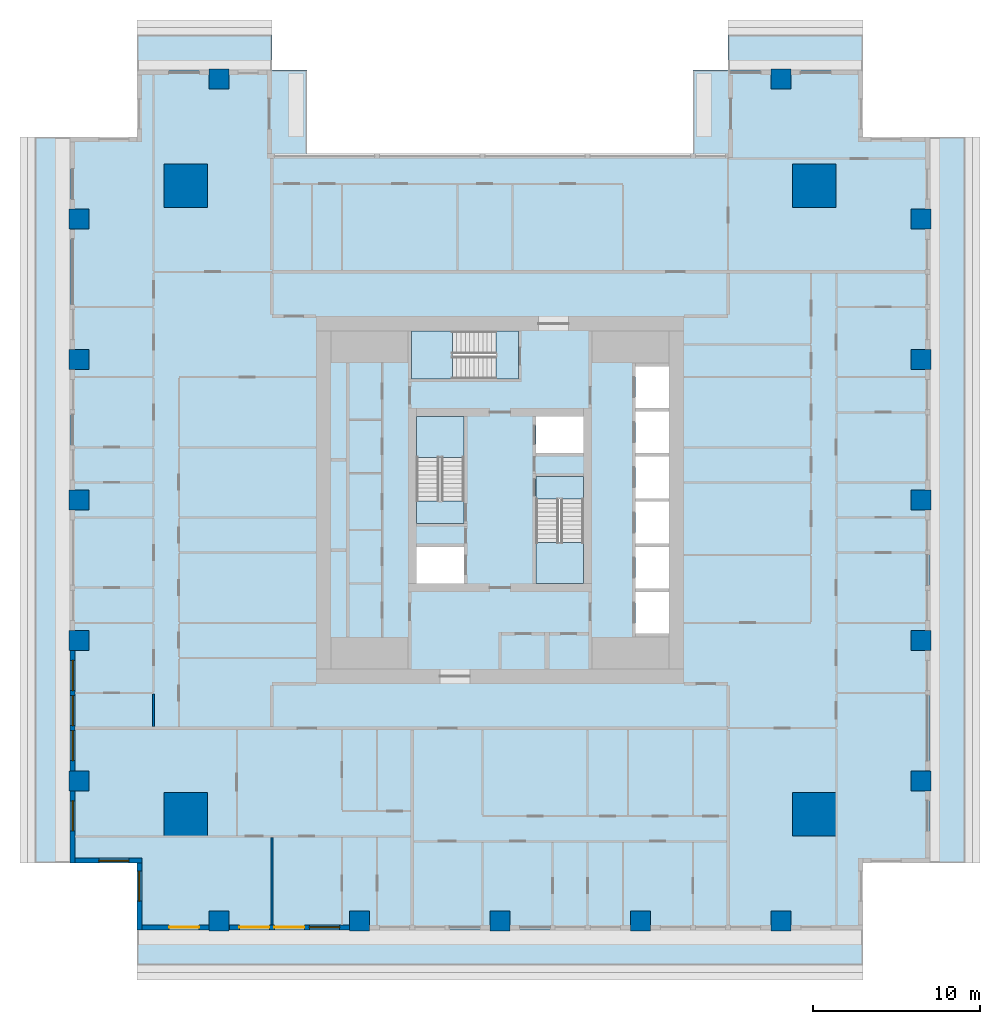
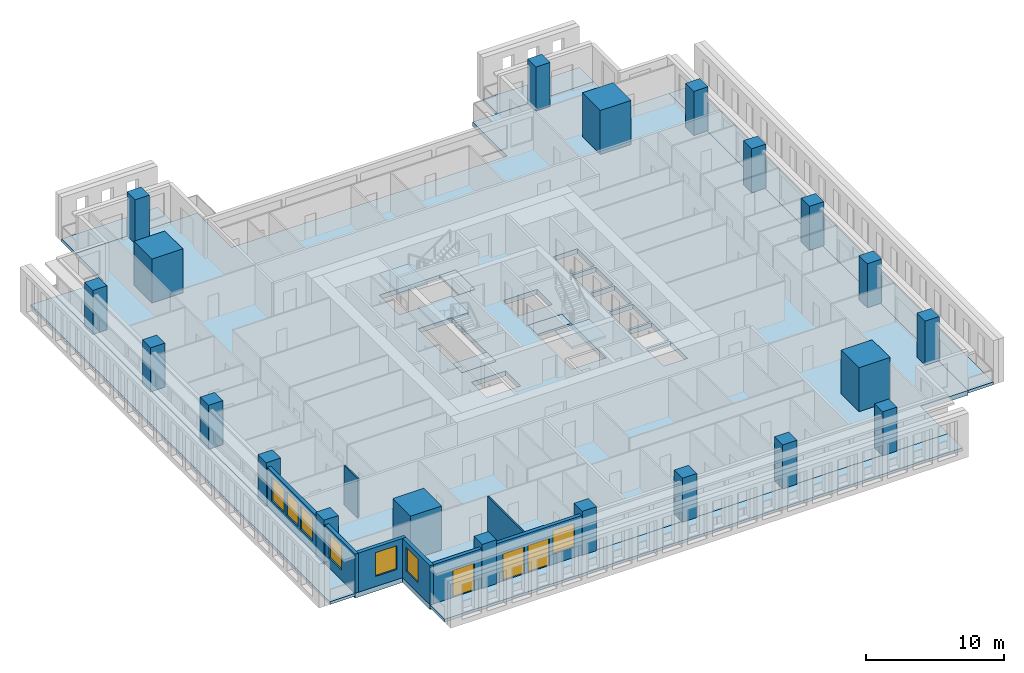
# One storey, part 1 of 16: 21 columns, 12 slabs, 8 walls, 7 windows, 3 doors, 10 openings, 3 elements without a shape of their own.
"""IFC4 building model written with IfcOpenShell, lengths in metres."""

from ifc_helpers import new_model, si_unit, direction, frame, frame_2d, origin, origin_2d, place, context, subcontext, project, spatial, polyline, rectangle, outline, extrude, material, layer, layer_set, material_profile, profile_set, type_object, element, fill, aggregate, save


model = new_model("IFC4")

# Units and contexts
model_context = context("Model", 3, precision=1e-05, world=origin(), true_north=direction((0.0, 1.0)))
body_context = subcontext(model_context, "Body", "Model", "MODEL_VIEW")
ifc_project = project(units=[si_unit("LENGTHUNIT", "METRE"), si_unit("AREAUNIT", "SQUARE_METRE"), si_unit("VOLUMEUNIT", "CUBIC_METRE"), si_unit("PLANEANGLEUNIT", "RADIAN"), si_unit("MASSUNIT", "GRAM", prefix="KILO")], contexts=[model_context])

# Site, building, storey
site_placement = place(None, origin())
site = spatial("IfcSite", under=ifc_project, at=site_placement, CompositionType="ELEMENT")
building_placement = place(site_placement, origin())
building = spatial("IfcBuilding", under=site, at=building_placement, Name="Khepri Terraces", CompositionType="ELEMENT")
storey_placement = place(building_placement, frame((0.0, 0.0, 172.800048828125)))
storey = spatial("IfcBuildingStorey", under=building, at=storey_placement, Name="L41", CompositionType="ELEMENT", Elevation=172.800048828125)

# Columns
ifc_material_1 = material(Name="Concrete C60/75", Category="concrete")
ifc_material_profile_1 = material_profile(ifc_material_1, rectangle(XDim=2.60009765625, YDim=2.60009765625, at=origin_2d()), Name="Concrete C60/75", Category="concrete")
ifc_profile_set_1 = profile_set([ifc_material_profile_1], Name="Concrete C60/75")
column_type_1 = type_object("IfcColumnType", Name="Mega column RC 2600x2600 C60/75", PredefinedType="COLUMN", material=ifc_profile_set_1)
for number, where, z_axis, x_axis, name in (
    (1, (18.800048828125, 18.800048828125, 0.0), (0.0, 0.0, 1.0), (1.0, 0.0, 0.0), "Mega column MEN L41"),
    (2, (18.800048828125, -18.800048828125, 0.0), (0.0, 0.0, 1.0), (1.0, 0.0, 0.0), "Mega column MES L41"),
    (3, (-18.800048828125, 18.800048828125, 0.0), (0.0, 0.0, 1.0), (1.0, 0.0, 0.0), "Mega column MWN L41"),
    (4, (-18.800048828125, -18.800048828125, 0.0), (0.0, 0.0, 1.0), (1.0, 0.0, 0.0), "Mega column MWS L41"),
):
    element("IfcColumn", number, at=place(storey_placement, frame(where, z_axis=z_axis, x_axis=x_axis)), inside=storey, type_object=column_type_1, Name=name, PredefinedType="COLUMN", context=body_context, shape_type="SweptSolid", body=[
        extrude(rectangle(XDim=2.60009765625, YDim=2.60009765625, at=origin_2d()), origin(), (0.0, 0.0, 1.0), 3.89990234375),
    ])
ifc_material_profile_2 = material_profile(ifc_material_1, rectangle(XDim=1.199951171875, YDim=1.199951171875, at=origin_2d()), Name="Concrete C60/75", Category="concrete")
ifc_profile_set_2 = profile_set([ifc_material_profile_2], Name="Concrete C60/75")
column_type_2 = type_object("IfcColumnType", Name="Tower column RC 1200x1200 C60/75", PredefinedType="COLUMN", material=ifc_profile_set_2)
for number, where, z_axis, x_axis, name in (
    (5, (25.199951171875, 0.0, 0.0), (0.0, 0.0, 1.0), (1.0, 0.0, 0.0), "Perimeter column PE+000a L41"),
    (6, (25.199951171875, 8.39990234375, 0.0), (0.0, 0.0, 1.0), (1.0, 0.0, 0.0), "Perimeter column PE+084a L41"),
    (7, (25.199951171875, 16.800048828125, 0.0), (0.0, 0.0, 1.0), (1.0, 0.0, 0.0), "Perimeter column PE+168a L41"),
    (8, (25.199951171875, -8.39990234375, 0.0), (0.0, 0.0, 1.0), (1.0, 0.0, 0.0), "Perimeter column PE-084a L41"),
    (9, (25.199951171875, -16.800048828125, 0.0), (0.0, 0.0, 1.0), (1.0, 0.0, 0.0), "Perimeter column PE-168a L41"),
    (10, (-16.800048828125, 25.199951171875, 0.0), (0.0, 0.0, 1.0), (1.0, 0.0, 0.0), "Perimeter column PN+168a L41"),
    (11, (16.800048828125, 25.199951171875, 0.0), (0.0, 0.0, 1.0), (1.0, 0.0, 0.0), "Perimeter column PN-168a L41"),
    (12, (0.0, -25.199951171875, 0.0), (0.0, 0.0, 1.0), (1.0, 0.0, 0.0), "Perimeter column PS+000b L41"),
    (13, (8.39990234375, -25.199951171875, 0.0), (0.0, 0.0, 1.0), (1.0, 0.0, 0.0), "Perimeter column PS+084b L41"),
    (14, (16.800048828125, -25.199951171875, 0.0), (0.0, 0.0, 1.0), (1.0, 0.0, 0.0), "Perimeter column PS+168a L41"),
    (15, (-8.39990234375, -25.199951171875, 0.0), (0.0, 0.0, 1.0), (1.0, 0.0, 0.0), "Perimeter column PS-084b L41"),
    (16, (-16.800048828125, -25.199951171875, 0.0), (0.0, 0.0, 1.0), (1.0, 0.0, 0.0), "Perimeter column PS-168a L41"),
    (17, (-25.199951171875, 0.0, 0.0), (0.0, 0.0, 1.0), (1.0, 0.0, 0.0), "Perimeter column PW+000b L41"),
    (18, (-25.199951171875, -8.39990234375, 0.0), (0.0, 0.0, 1.0), (1.0, 0.0, 0.0), "Perimeter column PW+084b L41"),
    (19, (-25.199951171875, -16.800048828125, 0.0), (0.0, 0.0, 1.0), (1.0, 0.0, 0.0), "Perimeter column PW+168a L41"),
    (20, (-25.199951171875, 8.39990234375, 0.0), (0.0, 0.0, 1.0), (1.0, 0.0, 0.0), "Perimeter column PW-084b L41"),
    (21, (-25.199951171875, 16.800048828125, 0.0), (0.0, 0.0, 1.0), (1.0, 0.0, 0.0), "Perimeter column PW-168a L41"),
):
    element("IfcColumn", number, at=place(storey_placement, frame(where, z_axis=z_axis, x_axis=x_axis)), inside=storey, type_object=column_type_2, Name=name, PredefinedType="COLUMN", context=body_context, shape_type="SweptSolid", body=[
        extrude(rectangle(XDim=1.199951171875, YDim=1.199951171875, at=origin_2d()), origin(), (0.0, 0.0, 1.0), 3.89990234375),
    ])

# Slabs
ifc_material_2 = material(Name="Concrete C40/50", Category="concrete")
ifc_layer_1 = layer(ifc_material_2, 0.419921875, Name="Concrete C40/50", Category="concrete")
ifc_layer_set_1 = layer_set([ifc_layer_1], Name="Concrete C40/50")
slab_type_1 = type_object("IfcSlabType", Name="Flat plate 420", PredefinedType="FLOOR", material=ifc_layer_set_1)
slab_1_placement = place(storey_placement, frame((0.0, 0.0, -0.420166015625)))
element("IfcSlab", 22, at=slab_1_placement, inside=storey, type_object=slab_type_1, Name="Floor slab F01 L41", PredefinedType="FLOOR", context=body_context, shape_type="SweptSolid", body=[
    extrude(outline(polyline([(11.550048828125, 25.719970703125), (13.64990234375, 25.719970703125), (21.719970703125, 25.719970703125), (21.719970703125, 21.719970703125), (25.719970703125, 21.719970703125), (25.719970703125, -21.719970703125), (21.719970703125, -21.719970703125), (21.719970703125, -25.719970703125), (-21.719970703125, -25.719970703125), (-21.719970703125, -21.719970703125), (-25.719970703125, -21.719970703125), (-25.719970703125, 21.719970703125), (-21.719970703125, 21.719970703125), (-21.719970703125, 25.719970703125), (-13.64990234375, 25.719970703125), (-11.550048828125, 25.719970703125), (-11.550048828125, 20.719970703125), (11.550048828125, 20.719970703125), (11.550048828125, 25.719970703125)]), holes=[polyline([(2.14990234375, 2.800048828125), (5.0, 2.800048828125), (5.0, 5.0), (2.14990234375, 5.0), (2.14990234375, 2.800048828125)]), polyline([(-5.0, -2.800048828125), (-5.0, -5.0), (-2.14990234375, -5.0), (-2.14990234375, -2.800048828125), (-5.0, -2.800048828125)]), polyline([(10.10009765625, -5.5), (8.10009765625, -5.5), (8.10009765625, -8.0), (10.10009765625, -8.0), (10.10009765625, -5.5)]), polyline([(10.10009765625, -5.300048828125), (10.10009765625, -2.800048828125), (8.10009765625, -2.800048828125), (8.10009765625, -5.300048828125), (10.10009765625, -5.300048828125)]), polyline([(8.10009765625, -2.60009765625), (10.10009765625, -2.60009765625), (10.10009765625, -0.10009765625), (8.10009765625, -0.10009765625), (8.10009765625, -2.60009765625)]), polyline([(8.10009765625, 2.60009765625), (8.10009765625, 0.10009765625), (10.10009765625, 0.10009765625), (10.10009765625, 2.60009765625), (8.10009765625, 2.60009765625)]), polyline([(10.10009765625, 5.300048828125), (8.10009765625, 5.300048828125), (8.10009765625, 2.800048828125), (10.10009765625, 2.800048828125), (10.10009765625, 5.300048828125)]), polyline([(10.10009765625, 5.5), (10.10009765625, 8.0), (8.10009765625, 8.0), (8.10009765625, 5.5), (10.10009765625, 5.5)]), polyline([(-5.0, -1.39990234375), (-2.14990234375, -1.39990234375), (-2.14990234375, 5.0), (-5.0, 5.0), (-5.0, -1.39990234375)]), polyline([(5.0, -5.0), (5.0, 1.39990234375), (2.14990234375, 1.39990234375), (2.14990234375, -5.0), (5.0, -5.0)]), polyline([(-5.300048828125, 10.10009765625), (-5.300048828125, 7.25), (1.10009765625, 7.25), (1.10009765625, 10.10009765625), (-5.300048828125, 10.10009765625)])]), origin(), (0.0, 0.0, 1.0), 0.420166015625),
])
ifc_material_3 = material(Name="Precast concrete C50/60 warm stone", Category="masonry")
ifc_layer_2 = layer(ifc_material_3, 0.25, Name="Precast concrete C50/60 warm stone", Category="masonry")
ifc_layer_set_2 = layer_set([ifc_layer_2], Name="Precast concrete C50/60 warm stone")
slab_type_2 = type_object("IfcSlabType", Name="SLB-BALCONY-250", PredefinedType="FLOOR", material=ifc_layer_set_2)
slab_2_placement = place(storey_placement, frame((0.0, 0.0, -0.25)))
element("IfcSlab", 23, at=slab_2_placement, inside=storey, type_object=slab_type_2, Name="Balcony slab L41 S", PredefinedType="FLOOR", context=body_context, shape_type="SweptSolid", body=[
    extrude(outline(polyline([(-17.39990234375, -25.719970703125), (-21.719970703125, -25.719970703125), (-21.719970703125, -27.820068359375), (21.719970703125, -27.820068359375), (21.719970703125, -25.719970703125), (17.39990234375, -25.719970703125), (17.39990234375, -25.800048828125), (16.199951171875, -25.800048828125), (16.199951171875, -25.719970703125), (9.0, -25.719970703125), (9.0, -25.800048828125), (7.800048828125, -25.800048828125), (7.800048828125, -25.719970703125), (0.60009765625, -25.719970703125), (0.60009765625, -25.800048828125), (-0.60009765625, -25.800048828125), (-0.60009765625, -25.719970703125), (-7.800048828125, -25.719970703125), (-7.800048828125, -25.800048828125), (-9.0, -25.800048828125), (-9.0, -25.719970703125), (-16.199951171875, -25.719970703125), (-16.199951171875, -25.800048828125), (-17.39990234375, -25.800048828125), (-17.39990234375, -25.719970703125)])), origin(), (0.0, 0.0, 1.0), 0.25),
])
slab_3_placement = place(storey_placement, frame((0.0, 0.0, -0.25)))
element("IfcSlab", 24, at=slab_3_placement, inside=storey, type_object=slab_type_2, Name="Balcony slab L41 E", PredefinedType="FLOOR", context=body_context, shape_type="SweptSolid", body=[
    extrude(outline(polyline([(25.719970703125, -17.39990234375), (25.719970703125, -21.719970703125), (27.820068359375, -21.719970703125), (27.820068359375, 21.719970703125), (25.719970703125, 21.719970703125), (25.719970703125, 17.39990234375), (25.800048828125, 17.39990234375), (25.800048828125, 16.199951171875), (25.719970703125, 16.199951171875), (25.719970703125, 9.0), (25.800048828125, 9.0), (25.800048828125, 7.800048828125), (25.719970703125, 7.800048828125), (25.719970703125, 0.60009765625), (25.800048828125, 0.60009765625), (25.800048828125, -0.60009765625), (25.719970703125, -0.60009765625), (25.719970703125, -7.800048828125), (25.800048828125, -7.800048828125), (25.800048828125, -9.0), (25.719970703125, -9.0), (25.719970703125, -16.199951171875), (25.800048828125, -16.199951171875), (25.800048828125, -17.39990234375), (25.719970703125, -17.39990234375)])), origin(), (0.0, 0.0, 1.0), 0.25),
])
slab_4_placement = place(storey_placement, frame((0.0, 0.0, -0.25)))
element("IfcSlab", 25, at=slab_4_placement, inside=storey, type_object=slab_type_2, Name="Balcony slab L41 N", PredefinedType="FLOOR", context=body_context, shape_type="SweptSolid", body=[
    extrude(outline(polyline([(17.39990234375, 25.719970703125), (21.719970703125, 25.719970703125), (21.719970703125, 27.820068359375), (13.64990234375, 27.820068359375), (13.64990234375, 25.719970703125), (16.199951171875, 25.719970703125), (16.199951171875, 25.800048828125), (17.39990234375, 25.800048828125), (17.39990234375, 25.719970703125)])), origin(), (0.0, 0.0, 1.0), 0.25),
])
slab_5_placement = place(storey_placement, frame((0.0, 0.0, -0.25)))
element("IfcSlab", 26, at=slab_5_placement, inside=storey, type_object=slab_type_2, Name="Balcony slab L41 N", PredefinedType="FLOOR", context=body_context, shape_type="SweptSolid", body=[
    extrude(outline(polyline([(-16.199951171875, 25.719970703125), (-13.64990234375, 25.719970703125), (-13.64990234375, 27.820068359375), (-21.719970703125, 27.820068359375), (-21.719970703125, 25.719970703125), (-17.39990234375, 25.719970703125), (-17.39990234375, 25.800048828125), (-16.199951171875, 25.800048828125), (-16.199951171875, 25.719970703125)])), origin(), (0.0, 0.0, 1.0), 0.25),
])
slab_6_placement = place(storey_placement, frame((0.0, 0.0, -0.25)))
element("IfcSlab", 27, at=slab_6_placement, inside=storey, type_object=slab_type_2, Name="Balcony slab L41 W", PredefinedType="FLOOR", context=body_context, shape_type="SweptSolid", body=[
    extrude(outline(polyline([(-25.719970703125, 17.39990234375), (-25.719970703125, 21.719970703125), (-27.820068359375, 21.719970703125), (-27.820068359375, -21.719970703125), (-25.719970703125, -21.719970703125), (-25.719970703125, -17.39990234375), (-25.800048828125, -17.39990234375), (-25.800048828125, -16.199951171875), (-25.719970703125, -16.199951171875), (-25.719970703125, -9.0), (-25.800048828125, -9.0), (-25.800048828125, -7.800048828125), (-25.719970703125, -7.800048828125), (-25.719970703125, -0.60009765625), (-25.800048828125, -0.60009765625), (-25.800048828125, 0.60009765625), (-25.719970703125, 0.60009765625), (-25.719970703125, 7.800048828125), (-25.800048828125, 7.800048828125), (-25.800048828125, 9.0), (-25.719970703125, 9.0), (-25.719970703125, 16.199951171875), (-25.800048828125, 16.199951171875), (-25.800048828125, 17.39990234375), (-25.719970703125, 17.39990234375)])), origin(), (0.0, 0.0, 1.0), 0.25),
])

# Stair, slabs
stair_type = type_object("IfcStairType", Name="STAIR-RC-22R", PredefinedType="HALF_TURN_STAIR", material=ifc_material_2)
stair_1_placement = place(storey_placement, origin())
stair_1 = element("IfcStair", 28, at=stair_1_placement, inside=storey, type_object=stair_type, Name="L41 Exit Stair ST-1", PredefinedType="HALF_TURN_STAIR")
ifc_layer_3 = layer(ifc_material_2, 0.199951171875, Name="Concrete C40/50", Category="concrete")
ifc_layer_set_3 = layer_set([ifc_layer_3], Name="Concrete C40/50")
slab_type_3 = type_object("IfcSlabType", Name="SLB-CORE-LANDING", PredefinedType="LANDING", material=ifc_layer_set_3)
slab_7_placement = place(storey_placement, frame((0.0, 0.0, -0.199951171875)))
slab_7 = element("IfcSlab", 29, at=slab_7_placement, type_object=slab_type_3, Name="ST-1 landing 1", PredefinedType="LANDING", context=body_context, shape_type="SweptSolid", body=[
    extrude(outline(polyline([(-2.14990234375, -1.39990234375), (-2.14990234375, -0.050048828125), (-5.0, -0.050048828125), (-5.0, -1.39990234375), (-2.14990234375, -1.39990234375)])), origin(), (0.0, 0.0, 1.0), 0.199951171875),
])
slab_8_placement = place(storey_placement, frame((0.0, 0.0, 1.75)))
slab_8 = element("IfcSlab", 30, at=slab_8_placement, type_object=slab_type_3, Name="ST-1 landing 2", PredefinedType="LANDING", context=body_context, shape_type="SweptSolid", body=[
    extrude(outline(polyline([(-2.14990234375, 2.550048828125), (-2.14990234375, 5.0), (-5.0, 5.0), (-5.0, 2.550048828125), (-2.14990234375, 2.550048828125)])), origin(), (0.0, 0.0, 1.0), 0.199951171875),
])
aggregate(stair_1, [slab_7, slab_8])

stair_2_placement = place(storey_placement, origin())
stair_2 = element("IfcStair", 31, at=stair_2_placement, inside=storey, type_object=stair_type, Name="L41 Exit Stair ST-2", PredefinedType="HALF_TURN_STAIR")
slab_9_placement = place(storey_placement, frame((0.0, 0.0, -0.199951171875)))
slab_9 = element("IfcSlab", 32, at=slab_9_placement, type_object=slab_type_3, Name="ST-2 landing 1", PredefinedType="LANDING", context=body_context, shape_type="SweptSolid", body=[
    extrude(outline(polyline([(2.14990234375, 1.39990234375), (2.14990234375, 0.050048828125), (5.0, 0.050048828125), (5.0, 1.39990234375), (2.14990234375, 1.39990234375)])), origin(), (0.0, 0.0, 1.0), 0.199951171875),
])
slab_10_placement = place(storey_placement, frame((0.0, 0.0, 1.75)))
slab_10 = element("IfcSlab", 33, at=slab_10_placement, type_object=slab_type_3, Name="ST-2 landing 2", PredefinedType="LANDING", context=body_context, shape_type="SweptSolid", body=[
    extrude(outline(polyline([(2.14990234375, -2.550048828125), (2.14990234375, -5.0), (5.0, -5.0), (5.0, -2.550048828125), (2.14990234375, -2.550048828125)])), origin(), (0.0, 0.0, 1.0), 0.199951171875),
])
aggregate(stair_2, [slab_9, slab_10])

stair_3_placement = place(storey_placement, origin())
stair_3 = element("IfcStair", 34, at=stair_3_placement, inside=storey, type_object=stair_type, Name="L41 Exit Stair ST-3", PredefinedType="HALF_TURN_STAIR")
slab_11_placement = place(storey_placement, frame((0.0, 0.0, -0.199951171875)))
slab_11 = element("IfcSlab", 35, at=slab_11_placement, type_object=slab_type_3, Name="ST-3 landing 1", PredefinedType="LANDING", context=body_context, shape_type="SweptSolid", body=[
    extrude(outline(polyline([(1.10009765625, 10.10009765625), (-0.25, 10.10009765625), (-0.25, 7.25), (1.10009765625, 7.25), (1.10009765625, 10.10009765625)])), origin(), (0.0, 0.0, 1.0), 0.199951171875),
])
slab_12_placement = place(storey_placement, frame((0.0, 0.0, 1.75)))
slab_12 = element("IfcSlab", 36, at=slab_12_placement, type_object=slab_type_3, Name="ST-3 landing 2", PredefinedType="LANDING", context=body_context, shape_type="SweptSolid", body=[
    extrude(outline(polyline([(-2.85009765625, 10.10009765625), (-5.300048828125, 10.10009765625), (-5.300048828125, 7.25), (-2.85009765625, 7.25), (-2.85009765625, 10.10009765625)])), origin(), (0.0, 0.0, 1.0), 0.199951171875),
])
aggregate(stair_3, [slab_11, slab_12])

# Wall, openings, windows
ifc_layer_4 = layer(ifc_material_3, 0.300048828125, Name="Precast concrete C50/60 warm stone", Category="masonry")
ifc_layer_set_4 = layer_set([ifc_layer_4], Name="Precast concrete C50/60 warm stone")
wall_type_1 = type_object("IfcWallType", Name="WL-EXT-PRECAST-300", PredefinedType="STANDARD", material=ifc_layer_set_4)
wall_1_placement = place(storey_placement, frame((-25.570068359375, -9.0, 0.0), z_axis=(0.0, 0.0, 1.0), x_axis=(0.0, -1.0, 0.0)))
wall_1 = element("IfcWall", 37, at=wall_1_placement, inside=storey, type_object=wall_type_1, Name="External wall L41 W", PredefinedType="STANDARD", context=body_context, shape_type="SweptSolid", body=[
    extrude(rectangle(XDim=7.199951171875, YDim=0.300048828125, at=frame_2d((3.60009765625, 0.0))), origin(), (0.0, 0.0, 1.0), 3.47998046875),
])
opening_1_placement = place(wall_1_placement, frame((0.60009765625, 0.0, 0.89990234375)))
opening_1 = element("IfcOpeningElement", 38, at=opening_1_placement, cuts=wall_1, Name="Opening W1", PredefinedType="OPENING", context=body_context, shape_type="SweptSolid", body=[
    extrude(rectangle(XDim=1.800048828125, YDim=2.10009765625, at=frame_2d((0.89990234375, 1.050048828125))), frame((0.0, 0.16015625, 0.0), z_axis=(0.0, -1.0, 0.0), x_axis=(1.0, 0.0, 0.0)), (0.0, 0.0, 1.0), 0.320068359375),
])
opening_2_placement = place(wall_1_placement, frame((2.699951171875, 0.0, 0.89990234375)))
opening_2 = element("IfcOpeningElement", 39, at=opening_2_placement, cuts=wall_1, Name="Opening W1", PredefinedType="OPENING", context=body_context, shape_type="SweptSolid", body=[
    extrude(rectangle(XDim=1.800048828125, YDim=2.10009765625, at=frame_2d((0.89990234375, 1.050048828125))), frame((0.0, 0.16015625, 0.0), z_axis=(0.0, -1.0, 0.0), x_axis=(1.0, 0.0, 0.0)), (0.0, 0.0, 1.0), 0.320068359375),
])
opening_3_placement = place(wall_1_placement, frame((4.800048828125, 0.0, 0.89990234375)))
opening_3 = element("IfcOpeningElement", 40, at=opening_3_placement, cuts=wall_1, Name="Opening W1", PredefinedType="OPENING", context=body_context, shape_type="SweptSolid", body=[
    extrude(rectangle(XDim=1.800048828125, YDim=2.10009765625, at=frame_2d((0.89990234375, 1.050048828125))), frame((0.0, 0.16015625, 0.0), z_axis=(0.0, -1.0, 0.0), x_axis=(1.0, 0.0, 0.0)), (0.0, 0.0, 1.0), 0.320068359375),
])
ifc_material_4 = material(Name="Clear glass", Category="glass")
window_type = type_object("IfcWindowType", Name="WIN-RES-1800x2100", PartitioningType="SINGLE_PANEL", PredefinedType="WINDOW", material=ifc_material_4)
window_1_placement = place(opening_1_placement, origin())
window_1 = element("IfcWindow", 41, at=window_1_placement, inside=storey, type_object=window_type, Name="Window L41 W", OverallHeight=2.10009765625, OverallWidth=1.800048828125, PartitioningType="SINGLE_PANEL", PredefinedType="WINDOW", context=body_context, shape_type="SweptSolid", body=[
    extrude(rectangle(XDim=1.800048828125, YDim=2.10009765625, at=frame_2d((0.89990234375, 1.050048828125))), frame((0.0, 0.030029296875, 0.0), z_axis=(0.0, -1.0, 0.0), x_axis=(1.0, 0.0, 0.0)), (0.0, 0.0, 1.0), 0.06005859375),
])
fill(opening_1, window_1)
window_2_placement = place(opening_2_placement, origin())
window_2 = element("IfcWindow", 42, at=window_2_placement, inside=storey, type_object=window_type, Name="Window L41 W", OverallHeight=2.10009765625, OverallWidth=1.800048828125, PartitioningType="SINGLE_PANEL", PredefinedType="WINDOW", context=body_context, shape_type="SweptSolid", body=[
    extrude(rectangle(XDim=1.800048828125, YDim=2.10009765625, at=frame_2d((0.89990234375, 1.050048828125))), frame((0.0, 0.030029296875, 0.0), z_axis=(0.0, -1.0, 0.0), x_axis=(1.0, 0.0, 0.0)), (0.0, 0.0, 1.0), 0.06005859375),
])
fill(opening_2, window_2)
window_3_placement = place(opening_3_placement, origin())
window_3 = element("IfcWindow", 43, at=window_3_placement, inside=storey, type_object=window_type, Name="Window L41 W", OverallHeight=2.10009765625, OverallWidth=1.800048828125, PartitioningType="SINGLE_PANEL", PredefinedType="WINDOW", context=body_context, shape_type="SweptSolid", body=[
    extrude(rectangle(XDim=1.800048828125, YDim=2.10009765625, at=frame_2d((0.89990234375, 1.050048828125))), frame((0.0, 0.030029296875, 0.0), z_axis=(0.0, -1.0, 0.0), x_axis=(1.0, 0.0, 0.0)), (0.0, 0.0, 1.0), 0.06005859375),
])
fill(opening_3, window_3)

# Wall, opening, window
wall_2_placement = place(storey_placement, frame((-25.570068359375, -17.39990234375, 0.0), z_axis=(0.0, 0.0, 1.0), x_axis=(0.0, -1.0, 0.0)))
wall_2 = element("IfcWall", 44, at=wall_2_placement, inside=storey, type_object=wall_type_1, Name="External wall L41 W", PredefinedType="STANDARD", context=body_context, shape_type="SweptSolid", body=[
    extrude(rectangle(XDim=4.320068359375, YDim=0.300048828125, at=frame_2d((2.16015625, 0.0))), origin(), (0.0, 0.0, 1.0), 3.47998046875),
])
opening_4_placement = place(wall_2_placement, frame((0.60009765625, 0.0, 0.89990234375)))
opening_4 = element("IfcOpeningElement", 45, at=opening_4_placement, cuts=wall_2, Name="Opening W1", PredefinedType="OPENING", context=body_context, shape_type="SweptSolid", body=[
    extrude(rectangle(XDim=1.800048828125, YDim=2.10009765625, at=frame_2d((0.89990234375, 1.050048828125))), frame((0.0, 0.16015625, 0.0), z_axis=(0.0, -1.0, 0.0), x_axis=(1.0, 0.0, 0.0)), (0.0, 0.0, 1.0), 0.320068359375),
])
window_4_placement = place(opening_4_placement, origin())
window_4 = element("IfcWindow", 46, at=window_4_placement, inside=storey, type_object=window_type, Name="Window L41 W", OverallHeight=2.10009765625, OverallWidth=1.800048828125, PartitioningType="SINGLE_PANEL", PredefinedType="WINDOW", context=body_context, shape_type="SweptSolid", body=[
    extrude(rectangle(XDim=1.800048828125, YDim=2.10009765625, at=frame_2d((0.89990234375, 1.050048828125))), frame((0.0, 0.030029296875, 0.0), z_axis=(0.0, -1.0, 0.0), x_axis=(1.0, 0.0, 0.0)), (0.0, 0.0, 1.0), 0.06005859375),
])
fill(opening_4, window_4)

wall_3_placement = place(storey_placement, frame((-25.419921875, -21.570068359375, 0.0), z_axis=(0.0, 0.0, 1.0), x_axis=(1.0, 0.0, 0.0)))
wall_3 = element("IfcWall", 47, at=wall_3_placement, inside=storey, type_object=wall_type_1, Name="External wall L41 S", PredefinedType="STANDARD", context=body_context, shape_type="SweptSolid", body=[
    extrude(rectangle(XDim=4.0, YDim=0.300048828125, at=frame_2d((2.0, 0.0))), origin(), (0.0, 0.0, 1.0), 3.47998046875),
])
opening_5_placement = place(wall_3_placement, frame((1.419921875, 0.0, 0.89990234375)))
opening_5 = element("IfcOpeningElement", 48, at=opening_5_placement, cuts=wall_3, Name="Opening W1", PredefinedType="OPENING", context=body_context, shape_type="SweptSolid", body=[
    extrude(rectangle(XDim=1.800048828125, YDim=2.10009765625, at=frame_2d((0.89990234375, 1.050048828125))), frame((0.0, 0.16015625, 0.0), z_axis=(0.0, -1.0, 0.0), x_axis=(1.0, 0.0, 0.0)), (0.0, 0.0, 1.0), 0.320068359375),
])
window_5_placement = place(opening_5_placement, origin())
window_5 = element("IfcWindow", 49, at=window_5_placement, inside=storey, type_object=window_type, Name="Window L41 S", OverallHeight=2.10009765625, OverallWidth=1.800048828125, PartitioningType="SINGLE_PANEL", PredefinedType="WINDOW", context=body_context, shape_type="SweptSolid", body=[
    extrude(rectangle(XDim=1.800048828125, YDim=2.10009765625, at=frame_2d((0.89990234375, 1.050048828125))), frame((0.0, 0.030029296875, 0.0), z_axis=(0.0, -1.0, 0.0), x_axis=(1.0, 0.0, 0.0)), (0.0, 0.0, 1.0), 0.06005859375),
])
fill(opening_5, window_5)

wall_4_placement = place(storey_placement, frame((-21.570068359375, -21.719970703125, 0.0), z_axis=(0.0, 0.0, 1.0), x_axis=(0.0, -1.0, 0.0)))
wall_4 = element("IfcWall", 50, at=wall_4_placement, inside=storey, type_object=wall_type_1, Name="External wall L41 W", PredefinedType="STANDARD", context=body_context, shape_type="SweptSolid", body=[
    extrude(rectangle(XDim=4.0, YDim=0.300048828125, at=frame_2d((2.0, 0.0))), origin(), (0.0, 0.0, 1.0), 3.47998046875),
])
opening_6_placement = place(wall_4_placement, frame((0.47998046875, 0.0, 0.89990234375)))
opening_6 = element("IfcOpeningElement", 51, at=opening_6_placement, cuts=wall_4, Name="Opening W1", PredefinedType="OPENING", context=body_context, shape_type="SweptSolid", body=[
    extrude(rectangle(XDim=1.800048828125, YDim=2.10009765625, at=frame_2d((0.89990234375, 1.050048828125))), frame((0.0, 0.16015625, 0.0), z_axis=(0.0, -1.0, 0.0), x_axis=(1.0, 0.0, 0.0)), (0.0, 0.0, 1.0), 0.320068359375),
])
window_6_placement = place(opening_6_placement, origin())
window_6 = element("IfcWindow", 52, at=window_6_placement, inside=storey, type_object=window_type, Name="Window L41 W", OverallHeight=2.10009765625, OverallWidth=1.800048828125, PartitioningType="SINGLE_PANEL", PredefinedType="WINDOW", context=body_context, shape_type="SweptSolid", body=[
    extrude(rectangle(XDim=1.800048828125, YDim=2.10009765625, at=frame_2d((0.89990234375, 1.050048828125))), frame((0.0, 0.030029296875, 0.0), z_axis=(0.0, -1.0, 0.0), x_axis=(1.0, 0.0, 0.0)), (0.0, 0.0, 1.0), 0.06005859375),
])
fill(opening_6, window_6)

# Wall, opening, door
wall_5_placement = place(storey_placement, frame((-21.419921875, -25.570068359375, 0.0), z_axis=(0.0, 0.0, 1.0), x_axis=(1.0, 0.0, 0.0)))
wall_5 = element("IfcWall", 53, at=wall_5_placement, inside=storey, type_object=wall_type_1, Name="External wall L41 S", PredefinedType="STANDARD", context=body_context, shape_type="SweptSolid", body=[
    extrude(rectangle(XDim=4.02001953125, YDim=0.300048828125, at=frame_2d((2.010009765625, 0.0))), origin(), (0.0, 0.0, 1.0), 3.47998046875),
])
opening_7_placement = place(wall_5_placement, frame((1.6201171875, 0.0, 0.0)))
opening_7 = element("IfcOpeningElement", 54, at=opening_7_placement, cuts=wall_5, Name="Opening ED-L41-12", PredefinedType="OPENING", context=body_context, shape_type="SweptSolid", body=[
    extrude(rectangle(XDim=1.800048828125, YDim=2.39990234375, at=frame_2d((0.89990234375, 1.199951171875))), frame((0.0, 0.16015625, 0.0), z_axis=(0.0, -1.0, 0.0), x_axis=(1.0, 0.0, 0.0)), (0.0, 0.0, 1.0), 0.320068359375),
])
ifc_material_5 = material(Name="Anodised aluminium bronze glazed door", Category="aluminium")
door_type = type_object("IfcDoorType", Name="DR-BAL-SLIDE-1800x2400", OperationType="NOTDEFINED", PredefinedType="DOOR", material=ifc_material_5)
door_1_placement = place(opening_7_placement, origin())
door_1 = element("IfcDoor", 55, at=door_1_placement, inside=storey, type_object=door_type, Name="Balcony door L41 S", OperationType="SLIDING_TO_RIGHT", OverallHeight=2.39990234375, OverallWidth=1.800048828125, PredefinedType="DOOR", context=body_context, shape_type="SweptSolid", body=[
    extrude(rectangle(XDim=1.800048828125, YDim=2.39990234375, at=frame_2d((0.89990234375, 1.199951171875))), frame((0.0, 0.02490234375, 0.0), z_axis=(0.0, -1.0, 0.0), x_axis=(1.0, 0.0, 0.0)), (0.0, 0.0, 1.0), 0.050048828125),
])
fill(opening_7, door_1)

# Wall, openings, doors, window
wall_6_placement = place(storey_placement, frame((-16.199951171875, -25.570068359375, 0.0), z_axis=(0.0, 0.0, 1.0), x_axis=(1.0, 0.0, 0.0)))
wall_6 = element("IfcWall", 56, at=wall_6_placement, inside=storey, type_object=wall_type_1, Name="External wall L41 S", PredefinedType="STANDARD", context=body_context, shape_type="SweptSolid", body=[
    extrude(rectangle(XDim=7.199951171875, YDim=0.300048828125, at=frame_2d((3.60009765625, 0.0))), origin(), (0.0, 0.0, 1.0), 3.47998046875),
])
opening_8_placement = place(wall_6_placement, frame((0.60009765625, 0.0, 0.0)))
opening_8 = element("IfcOpeningElement", 57, at=opening_8_placement, cuts=wall_6, Name="Opening ED-L41-13", PredefinedType="OPENING", context=body_context, shape_type="SweptSolid", body=[
    extrude(rectangle(XDim=1.800048828125, YDim=2.39990234375, at=frame_2d((0.89990234375, 1.199951171875))), frame((0.0, 0.16015625, 0.0), z_axis=(0.0, -1.0, 0.0), x_axis=(1.0, 0.0, 0.0)), (0.0, 0.0, 1.0), 0.320068359375),
])
opening_9_placement = place(wall_6_placement, frame((2.699951171875, 0.0, 0.0)))
opening_9 = element("IfcOpeningElement", 58, at=opening_9_placement, cuts=wall_6, Name="Opening ED-L41-14", PredefinedType="OPENING", context=body_context, shape_type="SweptSolid", body=[
    extrude(rectangle(XDim=1.800048828125, YDim=2.39990234375, at=frame_2d((0.89990234375, 1.199951171875))), frame((0.0, 0.16015625, 0.0), z_axis=(0.0, -1.0, 0.0), x_axis=(1.0, 0.0, 0.0)), (0.0, 0.0, 1.0), 0.320068359375),
])
opening_10_placement = place(wall_6_placement, frame((4.800048828125, 0.0, 0.89990234375)))
opening_10 = element("IfcOpeningElement", 59, at=opening_10_placement, cuts=wall_6, Name="Opening W1", PredefinedType="OPENING", context=body_context, shape_type="SweptSolid", body=[
    extrude(rectangle(XDim=1.800048828125, YDim=2.10009765625, at=frame_2d((0.89990234375, 1.050048828125))), frame((0.0, 0.16015625, 0.0), z_axis=(0.0, -1.0, 0.0), x_axis=(1.0, 0.0, 0.0)), (0.0, 0.0, 1.0), 0.320068359375),
])
door_2_placement = place(opening_8_placement, origin())
door_2 = element("IfcDoor", 60, at=door_2_placement, inside=storey, type_object=door_type, Name="Balcony door L41 S", OperationType="SLIDING_TO_LEFT", OverallHeight=2.39990234375, OverallWidth=1.800048828125, PredefinedType="DOOR", context=body_context, shape_type="SweptSolid", body=[
    extrude(rectangle(XDim=1.800048828125, YDim=2.39990234375, at=frame_2d((0.89990234375, 1.199951171875))), frame((0.0, 0.02490234375, 0.0), z_axis=(0.0, -1.0, 0.0), x_axis=(1.0, 0.0, 0.0)), (0.0, 0.0, 1.0), 0.050048828125),
])
fill(opening_8, door_2)
door_3_placement = place(opening_9_placement, origin())
door_3 = element("IfcDoor", 61, at=door_3_placement, inside=storey, type_object=door_type, Name="Balcony door L41 S", OperationType="SLIDING_TO_RIGHT", OverallHeight=2.39990234375, OverallWidth=1.800048828125, PredefinedType="DOOR", context=body_context, shape_type="SweptSolid", body=[
    extrude(rectangle(XDim=1.800048828125, YDim=2.39990234375, at=frame_2d((0.89990234375, 1.199951171875))), frame((0.0, 0.02490234375, 0.0), z_axis=(0.0, -1.0, 0.0), x_axis=(1.0, 0.0, 0.0)), (0.0, 0.0, 1.0), 0.050048828125),
])
fill(opening_9, door_3)
window_7_placement = place(opening_10_placement, origin())
window_7 = element("IfcWindow", 62, at=window_7_placement, inside=storey, type_object=window_type, Name="Window L41 S", OverallHeight=2.10009765625, OverallWidth=1.800048828125, PartitioningType="SINGLE_PANEL", PredefinedType="WINDOW", context=body_context, shape_type="SweptSolid", body=[
    extrude(rectangle(XDim=1.800048828125, YDim=2.10009765625, at=frame_2d((0.89990234375, 1.050048828125))), frame((0.0, 0.030029296875, 0.0), z_axis=(0.0, -1.0, 0.0), x_axis=(1.0, 0.0, 0.0)), (0.0, 0.0, 1.0), 0.06005859375),
])
fill(opening_10, window_7)

# Walls
ifc_material_6 = material(Name="Gypsum plasterboard partition")
ifc_layer_5 = layer(ifc_material_6, 0.1201171875, Name="Gypsum plasterboard partition")
ifc_layer_set_5 = layer_set([ifc_layer_5], Name="Gypsum plasterboard partition")
wall_type_2 = type_object("IfcWallType", Name="WL-PART-120", PredefinedType="PARTITIONING", material=ifc_layer_set_5)
wall_7_placement = place(storey_placement, frame((-13.64990234375, -25.419921875, 0.0), z_axis=(0.0, 0.0, 1.0), x_axis=(0.0, 1.0, 0.0)))
element("IfcWall", 63, at=wall_7_placement, inside=storey, type_object=wall_type_2, Name="Partition P-001 L41", PredefinedType="PARTITIONING", context=body_context, shape_type="SweptSolid", body=[
    extrude(rectangle(XDim=5.239990234375, YDim=0.1201171875, at=frame_2d((2.6201171875, 0.0))), origin(), (0.0, 0.0, 1.0), 3.47998046875),
])
wall_8_placement = place(storey_placement, frame((-20.719970703125, -13.550048828125, 0.0), z_axis=(0.0, 0.0, 1.0), x_axis=(0.0, 1.0, 0.0)))
element("IfcWall", 64, at=wall_8_placement, inside=storey, type_object=wall_type_2, Name="Partition P-026 L41", PredefinedType="PARTITIONING", context=body_context, shape_type="SweptSolid", body=[
    extrude(rectangle(XDim=1.93994140625, YDim=0.1201171875, at=frame_2d((0.969970703125, 0.0))), origin(), (0.0, 0.0, 1.0), 3.47998046875),
])

save(model, "model.ifc")
